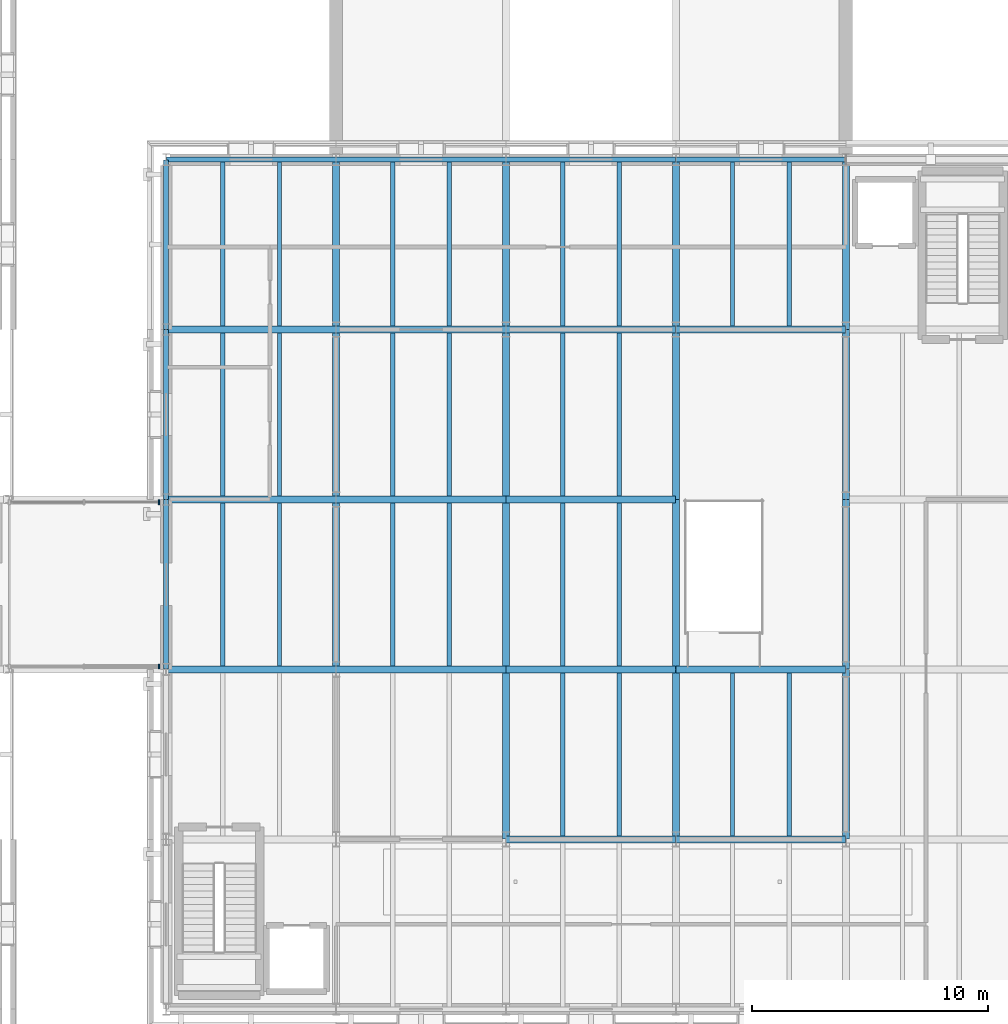
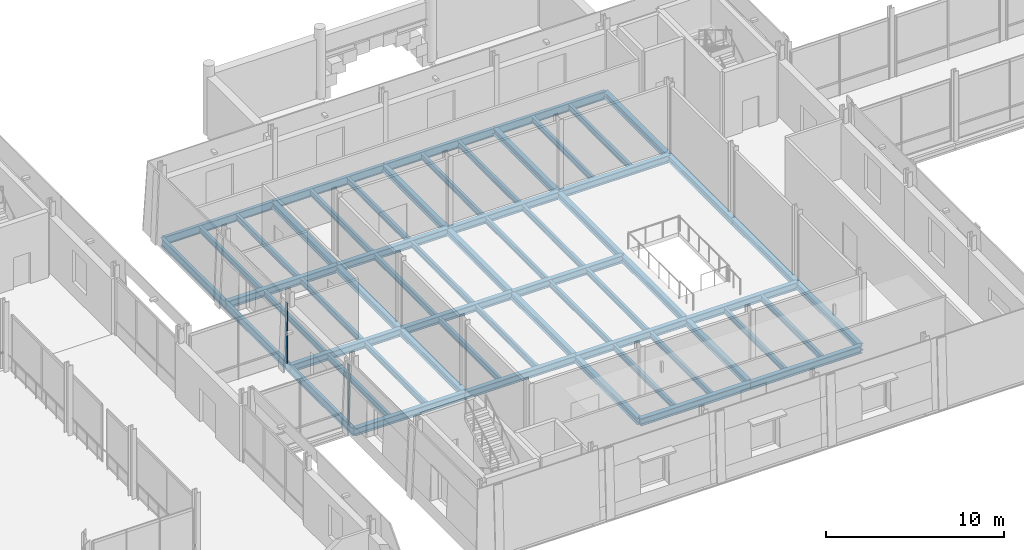
# One storey, part 34 of 121: 59 beams, 2 members, 2 elements without a shape of their own.
"""IFC4 building model written with IfcOpenShell, lengths in metres."""

from ifc_helpers import new_model, si_unit, direction, frame, origin, origin_2d, place, context, subcontext, project, spatial, rectangle, i_section, extrude, material, layer, layer_set, material_profile, profile_set, type_object, element, aggregate, save


model = new_model("IFC4")

# Units and contexts
model_context = context("Model", 3, precision=1e-05, world=origin(), true_north=direction((0.0, 1.0)))
body_context = subcontext(model_context, "Body", "Model", "MODEL_VIEW")
ifc_project = project(units=[si_unit("LENGTHUNIT", "METRE"), si_unit("AREAUNIT", "SQUARE_METRE"), si_unit("VOLUMEUNIT", "CUBIC_METRE"), si_unit("PLANEANGLEUNIT", "RADIAN"), si_unit("MASSUNIT", "GRAM", prefix="KILO")], contexts=[model_context])

# Site, building, storey
site_placement = place(None, origin())
site = spatial("IfcSite", under=ifc_project, at=site_placement, CompositionType="ELEMENT")
building_placement = place(site_placement, origin())
building = spatial("IfcBuilding", under=site, at=building_placement, Name="Narikvali Park Central Library", CompositionType="ELEMENT")
storey_placement = place(building_placement, frame((0.0, 0.0, 5.39990234375)))
storey = spatial("IfcBuildingStorey", under=building, at=storey_placement, Name="L01", CompositionType="ELEMENT", Elevation=5.39990234375)

# Curtain wall, member
ifc_material_1 = material(Name="Anodised Bronze Aluminium", Category="aluminium")
ifc_layer = layer(ifc_material_1, 0.219970703125, Name="Anodised Bronze Aluminium")
ifc_layer_set = layer_set([ifc_layer], Name="Anodised Bronze Aluminium")
curtain_wall_type = type_object("IfcCurtainWallType", Name="Bridge Covered Passage Glazing System", PredefinedType="NOTDEFINED", material=ifc_layer_set)
curtain_wall_1_placement = place(storey_placement, origin())
curtain_wall_1 = element("IfcCurtainWall", 1, at=curtain_wall_1_placement, inside=storey, type_object=curtain_wall_type, Name="Bridge Covered Passage Glazing System CW-BRG-2-L01-S1", PredefinedType="NOTDEFINED")
ifc_material_profile_1 = material_profile(ifc_material_1, rectangle(XDim=0.070068359375, YDim=0.199951171875, at=origin_2d()), Name="CW MULLION 70x200")
ifc_profile_set_1 = profile_set([ifc_material_profile_1], Name="Anodised Bronze Aluminium")
member_type = type_object("IfcMemberType", Name="Curtain Wall Mullion 70x200", PredefinedType="MULLION", material=ifc_profile_set_1)
member_1_placement = place(storey_placement, frame((64.5, 72.1201171875, -0.010009765625), z_axis=(0.0, 0.0, 1.0), x_axis=(1.0, 0.0, 0.0)))
member_1 = element("IfcMember", 2, at=member_1_placement, type_object=member_type, Name="CW-BRG-2-L01-S1 Mullion 02", PredefinedType="MULLION", context=body_context, shape_type="SweptSolid", body=[
    extrude(rectangle(XDim=0.070068359375, YDim=0.199951171875, at=origin_2d()), origin(), (0.0, 0.0, 1.0), 4.16015625),
])
aggregate(curtain_wall_1, [member_1])

curtain_wall_2_placement = place(storey_placement, origin())
curtain_wall_2 = element("IfcCurtainWall", 3, at=curtain_wall_2_placement, inside=storey, type_object=curtain_wall_type, Name="Bridge Covered Passage Glazing System CW-BRG-2-L01-N1", PredefinedType="NOTDEFINED")
member_2_placement = place(storey_placement, frame((64.5, 79.080078125, -0.010009765625), z_axis=(0.0, 0.0, 1.0), x_axis=(1.0, 0.0, 0.0)))
member_2 = element("IfcMember", 4, at=member_2_placement, type_object=member_type, Name="CW-BRG-2-L01-N1 Mullion 02", PredefinedType="MULLION", context=body_context, shape_type="SweptSolid", body=[
    extrude(rectangle(XDim=0.070068359375, YDim=0.199951171875, at=origin_2d()), origin(), (0.0, 0.0, 1.0), 4.16015625),
])
aggregate(curtain_wall_2, [member_2])

# Beams
ifc_material_2 = material(Name="Steel S355", Category="steel")
ifc_material_profile_2 = material_profile(ifc_material_2, i_section(OverallWidth=0.181884765625, OverallDepth=0.404052734375, WebThickness=0.009765625, FlangeThickness=0.015380859375, FilletRadius=0.02099609375, at=origin_2d()), Name="IPEO 400")
ifc_profile_set_2 = profile_set([ifc_material_profile_2], Name="Steel S355")
beam_type_1 = type_object("IfcBeamType", Name="Gallery Floor Joist IPEO400", PredefinedType="JOIST", material=ifc_profile_set_2)
for number, where, z_axis, x_axis, name in (
    (5, (67.199951171875, 72.14990234375, -0.48193359375), (0.0, 1.0, 0.0), (-1.0, 0.0, 0.0), "V1 L01 Composite Joist 1"),
    (6, (69.60009765625, 72.14990234375, -0.48193359375), (0.0, 1.0, 0.0), (-1.0, 0.0, 0.0), "V1 L01 Composite Joist 2"),
):
    element("IfcBeam", number, at=place(storey_placement, frame(where, z_axis=z_axis, x_axis=x_axis)), inside=storey, type_object=beam_type_1, Name=name, PredefinedType="JOIST", context=body_context, shape_type="SweptSolid", body=[
        extrude(i_section(OverallWidth=0.181884765625, OverallDepth=0.404052734375, WebThickness=0.009765625, FlangeThickness=0.015380859375, FilletRadius=0.02099609375, at=origin_2d()), origin(), (0.0, 0.0, 1.0), 6.900146484375),
    ])
for number, where, z_axis, x_axis, name in (
    (7, (67.199951171875, 79.35009765625, -0.48193359375), (0.0, 1.0, 0.0), (-1.0, 0.0, 0.0), "V1 L01 Composite Joist 1"),
    (8, (69.60009765625, 79.35009765625, -0.48193359375), (0.0, 1.0, 0.0), (-1.0, 0.0, 0.0), "V1 L01 Composite Joist 2"),
):
    element("IfcBeam", number, at=place(storey_placement, frame(where, z_axis=z_axis, x_axis=x_axis)), inside=storey, type_object=beam_type_1, Name=name, PredefinedType="JOIST", context=body_context, shape_type="SweptSolid", body=[
        extrude(i_section(OverallWidth=0.181884765625, OverallDepth=0.404052734375, WebThickness=0.009765625, FlangeThickness=0.015380859375, FilletRadius=0.02099609375, at=origin_2d()), origin(), (0.0, 0.0, 1.0), 6.89990234375),
    ])
for number, where, z_axis, x_axis, name in (
    (9, (67.199951171875, 86.550048828125, -0.48193359375), (0.0, 1.0, 0.0), (-1.0, 0.0, 0.0), "V1 L01 Composite Joist 1"),
    (10, (69.60009765625, 86.550048828125, -0.48193359375), (0.0, 1.0, 0.0), (-1.0, 0.0, 0.0), "V1 L01 Composite Joist 2"),
):
    element("IfcBeam", number, at=place(storey_placement, frame(where, z_axis=z_axis, x_axis=x_axis)), inside=storey, type_object=beam_type_1, Name=name, PredefinedType="JOIST", context=body_context, shape_type="SweptSolid", body=[
        extrude(i_section(OverallWidth=0.181884765625, OverallDepth=0.404052734375, WebThickness=0.009765625, FlangeThickness=0.015380859375, FilletRadius=0.02099609375, at=origin_2d()), origin(), (0.0, 0.0, 1.0), 6.945068359375),
    ])
for number, where, z_axis, x_axis, name in (
    (11, (74.39990234375, 72.14990234375, -0.48193359375), (0.0, 1.0, 0.0), (-1.0, 0.0, 0.0), "V1 L01 Composite Joist 1"),
    (12, (76.800048828125, 72.14990234375, -0.48193359375), (0.0, 1.0, 0.0), (-1.0, 0.0, 0.0), "V1 L01 Composite Joist 2"),
):
    element("IfcBeam", number, at=place(storey_placement, frame(where, z_axis=z_axis, x_axis=x_axis)), inside=storey, type_object=beam_type_1, Name=name, PredefinedType="JOIST", context=body_context, shape_type="SweptSolid", body=[
        extrude(i_section(OverallWidth=0.181884765625, OverallDepth=0.404052734375, WebThickness=0.009765625, FlangeThickness=0.015380859375, FilletRadius=0.02099609375, at=origin_2d()), origin(), (0.0, 0.0, 1.0), 6.900146484375),
    ])
for number, where, z_axis, x_axis, name in (
    (13, (74.39990234375, 79.35009765625, -0.48193359375), (0.0, 1.0, 0.0), (-1.0, 0.0, 0.0), "V1 L01 Composite Joist 1"),
    (14, (76.800048828125, 79.35009765625, -0.48193359375), (0.0, 1.0, 0.0), (-1.0, 0.0, 0.0), "V1 L01 Composite Joist 2"),
):
    element("IfcBeam", number, at=place(storey_placement, frame(where, z_axis=z_axis, x_axis=x_axis)), inside=storey, type_object=beam_type_1, Name=name, PredefinedType="JOIST", context=body_context, shape_type="SweptSolid", body=[
        extrude(i_section(OverallWidth=0.181884765625, OverallDepth=0.404052734375, WebThickness=0.009765625, FlangeThickness=0.015380859375, FilletRadius=0.02099609375, at=origin_2d()), origin(), (0.0, 0.0, 1.0), 6.89990234375),
    ])
for number, where, z_axis, x_axis, name in (
    (15, (74.39990234375, 86.550048828125, -0.48193359375), (0.0, 1.0, 0.0), (-1.0, 0.0, 0.0), "V1 L01 Composite Joist 1"),
    (16, (76.800048828125, 86.550048828125, -0.48193359375), (0.0, 1.0, 0.0), (-1.0, 0.0, 0.0), "V1 L01 Composite Joist 2"),
):
    element("IfcBeam", number, at=place(storey_placement, frame(where, z_axis=z_axis, x_axis=x_axis)), inside=storey, type_object=beam_type_1, Name=name, PredefinedType="JOIST", context=body_context, shape_type="SweptSolid", body=[
        extrude(i_section(OverallWidth=0.181884765625, OverallDepth=0.404052734375, WebThickness=0.009765625, FlangeThickness=0.015380859375, FilletRadius=0.02099609375, at=origin_2d()), origin(), (0.0, 0.0, 1.0), 6.945068359375),
    ])
for number, where, z_axis, x_axis, name in (
    (17, (81.60009765625, 64.949951171875, -0.48193359375), (0.0, 1.0, 0.0), (-1.0, 0.0, 0.0), "V1 L01 Composite Joist 1"),
    (18, (84.0, 64.949951171875, -0.48193359375), (0.0, 1.0, 0.0), (-1.0, 0.0, 0.0), "V1 L01 Composite Joist 2"),
    (19, (81.60009765625, 72.14990234375, -0.48193359375), (0.0, 1.0, 0.0), (-1.0, 0.0, 0.0), "V1 L01 Composite Joist 1"),
    (20, (84.0, 72.14990234375, -0.48193359375), (0.0, 1.0, 0.0), (-1.0, 0.0, 0.0), "V1 L01 Composite Joist 2"),
):
    element("IfcBeam", number, at=place(storey_placement, frame(where, z_axis=z_axis, x_axis=x_axis)), inside=storey, type_object=beam_type_1, Name=name, PredefinedType="JOIST", context=body_context, shape_type="SweptSolid", body=[
        extrude(i_section(OverallWidth=0.181884765625, OverallDepth=0.404052734375, WebThickness=0.009765625, FlangeThickness=0.015380859375, FilletRadius=0.02099609375, at=origin_2d()), origin(), (0.0, 0.0, 1.0), 6.900146484375),
    ])
for number, where, z_axis, x_axis, name in (
    (21, (81.60009765625, 79.35009765625, -0.48193359375), (0.0, 1.0, 0.0), (-1.0, 0.0, 0.0), "V1 L01 Composite Joist 1"),
    (22, (84.0, 79.35009765625, -0.48193359375), (0.0, 1.0, 0.0), (-1.0, 0.0, 0.0), "V1 L01 Composite Joist 2"),
):
    element("IfcBeam", number, at=place(storey_placement, frame(where, z_axis=z_axis, x_axis=x_axis)), inside=storey, type_object=beam_type_1, Name=name, PredefinedType="JOIST", context=body_context, shape_type="SweptSolid", body=[
        extrude(i_section(OverallWidth=0.181884765625, OverallDepth=0.404052734375, WebThickness=0.009765625, FlangeThickness=0.015380859375, FilletRadius=0.02099609375, at=origin_2d()), origin(), (0.0, 0.0, 1.0), 6.89990234375),
    ])
for number, where, z_axis, x_axis, name in (
    (23, (81.60009765625, 86.550048828125, -0.48193359375), (0.0, 1.0, 0.0), (-1.0, 0.0, 0.0), "V1 L01 Composite Joist 1"),
    (24, (84.0, 86.550048828125, -0.48193359375), (0.0, 1.0, 0.0), (-1.0, 0.0, 0.0), "V1 L01 Composite Joist 2"),
):
    element("IfcBeam", number, at=place(storey_placement, frame(where, z_axis=z_axis, x_axis=x_axis)), inside=storey, type_object=beam_type_1, Name=name, PredefinedType="JOIST", context=body_context, shape_type="SweptSolid", body=[
        extrude(i_section(OverallWidth=0.181884765625, OverallDepth=0.404052734375, WebThickness=0.009765625, FlangeThickness=0.015380859375, FilletRadius=0.02099609375, at=origin_2d()), origin(), (0.0, 0.0, 1.0), 6.945068359375),
    ])
for number, where, z_axis, x_axis, name in (
    (25, (88.800048828125, 64.949951171875, -0.48193359375), (0.0, 1.0, 0.0), (-1.0, 0.0, 0.0), "V1 L01 Composite Joist 1"),
    (26, (91.199951171875, 64.949951171875, -0.48193359375), (0.0, 1.0, 0.0), (-1.0, 0.0, 0.0), "V1 L01 Composite Joist 2"),
):
    element("IfcBeam", number, at=place(storey_placement, frame(where, z_axis=z_axis, x_axis=x_axis)), inside=storey, type_object=beam_type_1, Name=name, PredefinedType="JOIST", context=body_context, shape_type="SweptSolid", body=[
        extrude(i_section(OverallWidth=0.181884765625, OverallDepth=0.404052734375, WebThickness=0.009765625, FlangeThickness=0.015380859375, FilletRadius=0.02099609375, at=origin_2d()), origin(), (0.0, 0.0, 1.0), 6.900146484375),
    ])
for number, where, z_axis, x_axis, name in (
    (27, (88.800048828125, 86.550048828125, -0.48193359375), (0.0, 1.0, 0.0), (-1.0, 0.0, 0.0), "V1 L01 Composite Joist 1"),
    (28, (91.199951171875, 86.550048828125, -0.48193359375), (0.0, 1.0, 0.0), (-1.0, 0.0, 0.0), "V1 L01 Composite Joist 2"),
):
    element("IfcBeam", number, at=place(storey_placement, frame(where, z_axis=z_axis, x_axis=x_axis)), inside=storey, type_object=beam_type_1, Name=name, PredefinedType="JOIST", context=body_context, shape_type="SweptSolid", body=[
        extrude(i_section(OverallWidth=0.181884765625, OverallDepth=0.404052734375, WebThickness=0.009765625, FlangeThickness=0.015380859375, FilletRadius=0.02099609375, at=origin_2d()), origin(), (0.0, 0.0, 1.0), 6.945068359375),
    ])
ifc_material_profile_3 = material_profile(ifc_material_2, i_section(OverallWidth=0.2099609375, OverallDepth=0.550048828125, WebThickness=0.010986328125, FlangeThickness=0.01708984375, FilletRadius=0.02392578125, at=origin_2d()), Name="IPE 550")
ifc_profile_set_3 = profile_set([ifc_material_profile_3], Name="Steel S355")
beam_type_2 = type_object("IfcBeamType", Name="Perimeter Spandrel IPE550", PredefinedType="SPANDREL", material=ifc_profile_set_3)
for number, where, z_axis, x_axis, name in (
    (29, (64.80810546875, 93.60009765625, -0.554931640625), (1.0, 0.0, 0.0), (0.0, 1.0, 0.0), "V1 L01 Girder X"),
    (30, (72.008056640625, 93.60009765625, -0.554931640625), (1.0, 0.0, 0.0), (0.0, 1.0, 0.0), "V1 L01 Girder X"),
):
    element("IfcBeam", number, at=place(storey_placement, frame(where, z_axis=z_axis, x_axis=x_axis)), inside=storey, type_object=beam_type_2, Name=name, PredefinedType="SPANDREL", context=body_context, shape_type="SweptSolid", body=[
        extrude(i_section(OverallWidth=0.2099609375, OverallDepth=0.550048828125, WebThickness=0.010986328125, FlangeThickness=0.01708984375, FilletRadius=0.02392578125, at=origin_2d()), origin(), (0.0, 0.0, 1.0), 7.183837890625),
    ])
for number, where, z_axis, x_axis, name in (
    (31, (79.2080078125, 93.60009765625, -0.554931640625), (1.0, 0.0, 0.0), (0.0, 1.0, 0.0), "V1 L01 Girder X"),
    (32, (86.407958984375, 93.60009765625, -0.554931640625), (1.0, 0.0, 0.0), (0.0, 1.0, 0.0), "V1 L01 Girder X"),
):
    element("IfcBeam", number, at=place(storey_placement, frame(where, z_axis=z_axis, x_axis=x_axis)), inside=storey, type_object=beam_type_2, Name=name, PredefinedType="SPANDREL", context=body_context, shape_type="SweptSolid", body=[
        extrude(i_section(OverallWidth=0.2099609375, OverallDepth=0.550048828125, WebThickness=0.010986328125, FlangeThickness=0.01708984375, FilletRadius=0.02392578125, at=origin_2d()), origin(), (0.0, 0.0, 1.0), 7.18408203125),
    ])
beam_1_placement = place(storey_placement, frame((64.800048828125, 72.008056640625, -0.554931640625), z_axis=(0.0, 1.0, 0.0), x_axis=(-1.0, 0.0, 0.0)))
element("IfcBeam", 33, at=beam_1_placement, inside=storey, type_object=beam_type_2, Name="V1 L01 Girder Y", PredefinedType="SPANDREL", context=body_context, shape_type="SweptSolid", body=[
    extrude(i_section(OverallWidth=0.2099609375, OverallDepth=0.550048828125, WebThickness=0.010986328125, FlangeThickness=0.01708984375, FilletRadius=0.02392578125, at=origin_2d()), origin(), (0.0, 0.0, 1.0), 7.183837890625),
])
for number, where, z_axis, x_axis, name in (
    (34, (64.800048828125, 79.2080078125, -0.554931640625), (0.0, 1.0, 0.0), (-1.0, 0.0, 0.0), "V1 L01 Girder Y"),
    (35, (64.800048828125, 86.407958984375, -0.554931640625), (0.0, 1.0, 0.0), (-1.0, 0.0, 0.0), "V1 L01 Girder Y"),
):
    element("IfcBeam", number, at=place(storey_placement, frame(where, z_axis=z_axis, x_axis=x_axis)), inside=storey, type_object=beam_type_2, Name=name, PredefinedType="SPANDREL", context=body_context, shape_type="SweptSolid", body=[
        extrude(i_section(OverallWidth=0.2099609375, OverallDepth=0.550048828125, WebThickness=0.010986328125, FlangeThickness=0.01708984375, FilletRadius=0.02392578125, at=origin_2d()), origin(), (0.0, 0.0, 1.0), 7.18408203125),
    ])
ifc_material_profile_4 = material_profile(ifc_material_2, i_section(OverallWidth=0.300048828125, OverallDepth=0.43994140625, WebThickness=0.011474609375, FlangeThickness=0.02099609375, FilletRadius=0.027099609375, at=origin_2d()), Name="HEA 450")
ifc_profile_set_4 = profile_set([ifc_material_profile_4], Name="Steel S355")
beam_type_3 = type_object("IfcBeamType", Name="Primary Girder HEA450", PredefinedType="BEAM", material=ifc_profile_set_4)
beam_2_placement = place(storey_placement, frame((72.0, 72.008056640625, -0.5), z_axis=(0.0, 1.0, 0.0), x_axis=(-1.0, 0.0, 0.0)))
element("IfcBeam", 36, at=beam_2_placement, inside=storey, type_object=beam_type_3, Name="V1 L01 Girder Y", PredefinedType="BEAM", context=body_context, shape_type="SweptSolid", body=[
    extrude(i_section(OverallWidth=0.300048828125, OverallDepth=0.43994140625, WebThickness=0.011474609375, FlangeThickness=0.02099609375, FilletRadius=0.027099609375, at=origin_2d()), origin(), (0.0, 0.0, 1.0), 7.183837890625),
])
for number, where, z_axis, x_axis, name in (
    (37, (72.0, 79.2080078125, -0.5), (0.0, 1.0, 0.0), (-1.0, 0.0, 0.0), "V1 L01 Girder Y"),
    (38, (72.0, 86.407958984375, -0.5), (0.0, 1.0, 0.0), (-1.0, 0.0, 0.0), "V1 L01 Girder Y"),
):
    element("IfcBeam", number, at=place(storey_placement, frame(where, z_axis=z_axis, x_axis=x_axis)), inside=storey, type_object=beam_type_3, Name=name, PredefinedType="BEAM", context=body_context, shape_type="SweptSolid", body=[
        extrude(i_section(OverallWidth=0.300048828125, OverallDepth=0.43994140625, WebThickness=0.011474609375, FlangeThickness=0.02099609375, FilletRadius=0.027099609375, at=origin_2d()), origin(), (0.0, 0.0, 1.0), 7.18408203125),
    ])
for number, where, z_axis, x_axis, name in (
    (39, (79.199951171875, 64.80810546875, -0.5), (0.0, 1.0, 0.0), (-1.0, 0.0, 0.0), "V1 L01 Girder Y"),
    (40, (79.199951171875, 72.008056640625, -0.5), (0.0, 1.0, 0.0), (-1.0, 0.0, 0.0), "V1 L01 Girder Y"),
):
    element("IfcBeam", number, at=place(storey_placement, frame(where, z_axis=z_axis, x_axis=x_axis)), inside=storey, type_object=beam_type_3, Name=name, PredefinedType="BEAM", context=body_context, shape_type="SweptSolid", body=[
        extrude(i_section(OverallWidth=0.300048828125, OverallDepth=0.43994140625, WebThickness=0.011474609375, FlangeThickness=0.02099609375, FilletRadius=0.027099609375, at=origin_2d()), origin(), (0.0, 0.0, 1.0), 7.183837890625),
    ])
for number, where, z_axis, x_axis, name in (
    (41, (79.199951171875, 79.2080078125, -0.5), (0.0, 1.0, 0.0), (-1.0, 0.0, 0.0), "V1 L01 Girder Y"),
    (42, (79.199951171875, 86.407958984375, -0.5), (0.0, 1.0, 0.0), (-1.0, 0.0, 0.0), "V1 L01 Girder Y"),
):
    element("IfcBeam", number, at=place(storey_placement, frame(where, z_axis=z_axis, x_axis=x_axis)), inside=storey, type_object=beam_type_3, Name=name, PredefinedType="BEAM", context=body_context, shape_type="SweptSolid", body=[
        extrude(i_section(OverallWidth=0.300048828125, OverallDepth=0.43994140625, WebThickness=0.011474609375, FlangeThickness=0.02099609375, FilletRadius=0.027099609375, at=origin_2d()), origin(), (0.0, 0.0, 1.0), 7.18408203125),
    ])
for number, where, z_axis, x_axis, name in (
    (43, (86.39990234375, 64.80810546875, -0.5), (0.0, 1.0, 0.0), (-1.0, 0.0, 0.0), "V1 L01 Girder Y"),
    (44, (86.39990234375, 72.008056640625, -0.5), (0.0, 1.0, 0.0), (-1.0, 0.0, 0.0), "V1 L01 Girder Y"),
):
    element("IfcBeam", number, at=place(storey_placement, frame(where, z_axis=z_axis, x_axis=x_axis)), inside=storey, type_object=beam_type_3, Name=name, PredefinedType="BEAM", context=body_context, shape_type="SweptSolid", body=[
        extrude(i_section(OverallWidth=0.300048828125, OverallDepth=0.43994140625, WebThickness=0.011474609375, FlangeThickness=0.02099609375, FilletRadius=0.027099609375, at=origin_2d()), origin(), (0.0, 0.0, 1.0), 7.183837890625),
    ])
for number, where, z_axis, x_axis, name in (
    (45, (86.39990234375, 79.2080078125, -0.5), (0.0, 1.0, 0.0), (-1.0, 0.0, 0.0), "V1 L01 Girder Y"),
    (46, (86.39990234375, 86.407958984375, -0.5), (0.0, 1.0, 0.0), (-1.0, 0.0, 0.0), "V1 L01 Girder Y"),
):
    element("IfcBeam", number, at=place(storey_placement, frame(where, z_axis=z_axis, x_axis=x_axis)), inside=storey, type_object=beam_type_3, Name=name, PredefinedType="BEAM", context=body_context, shape_type="SweptSolid", body=[
        extrude(i_section(OverallWidth=0.300048828125, OverallDepth=0.43994140625, WebThickness=0.011474609375, FlangeThickness=0.02099609375, FilletRadius=0.027099609375, at=origin_2d()), origin(), (0.0, 0.0, 1.0), 7.18408203125),
    ])
for number, where, z_axis, x_axis, name in (
    (47, (93.60009765625, 64.80810546875, -0.5), (0.0, 1.0, 0.0), (-1.0, 0.0, 0.0), "V1 L01 Girder Y"),
    (48, (93.60009765625, 72.008056640625, -0.5), (0.0, 1.0, 0.0), (-1.0, 0.0, 0.0), "V1 L01 Girder Y"),
):
    element("IfcBeam", number, at=place(storey_placement, frame(where, z_axis=z_axis, x_axis=x_axis)), inside=storey, type_object=beam_type_3, Name=name, PredefinedType="BEAM", context=body_context, shape_type="SweptSolid", body=[
        extrude(i_section(OverallWidth=0.300048828125, OverallDepth=0.43994140625, WebThickness=0.011474609375, FlangeThickness=0.02099609375, FilletRadius=0.027099609375, at=origin_2d()), origin(), (0.0, 0.0, 1.0), 7.183837890625),
    ])
for number, where, z_axis, x_axis, name in (
    (49, (93.60009765625, 79.2080078125, -0.5), (0.0, 1.0, 0.0), (-1.0, 0.0, 0.0), "V1 L01 Girder Y"),
    (50, (93.60009765625, 86.407958984375, -0.5), (0.0, 1.0, 0.0), (-1.0, 0.0, 0.0), "V1 L01 Girder Y"),
):
    element("IfcBeam", number, at=place(storey_placement, frame(where, z_axis=z_axis, x_axis=x_axis)), inside=storey, type_object=beam_type_3, Name=name, PredefinedType="BEAM", context=body_context, shape_type="SweptSolid", body=[
        extrude(i_section(OverallWidth=0.300048828125, OverallDepth=0.43994140625, WebThickness=0.011474609375, FlangeThickness=0.02099609375, FilletRadius=0.027099609375, at=origin_2d()), origin(), (0.0, 0.0, 1.0), 7.18408203125),
    ])
ifc_material_profile_5 = material_profile(ifc_material_2, i_section(OverallWidth=0.300048828125, OverallDepth=0.5, WebThickness=0.014404296875, FlangeThickness=0.028076171875, FilletRadius=0.027099609375, at=origin_2d()), Name="HEB 500")
ifc_profile_set_5 = profile_set([ifc_material_profile_5], Name="Steel S355")
beam_type_4 = type_object("IfcBeamType", Name="Reading Void Girder HEB500", PredefinedType="BEAM", material=ifc_profile_set_5)
for number, where, z_axis, x_axis, name in (
    (51, (79.2080078125, 64.800048828125, -0.52978515625), (1.0, 0.0, 0.0), (0.0, 1.0, 0.0), "V1 L01 Girder X"),
    (52, (86.407958984375, 64.800048828125, -0.52978515625), (1.0, 0.0, 0.0), (0.0, 1.0, 0.0), "V1 L01 Girder X"),
):
    element("IfcBeam", number, at=place(storey_placement, frame(where, z_axis=z_axis, x_axis=x_axis)), inside=storey, type_object=beam_type_4, Name=name, PredefinedType="BEAM", context=body_context, shape_type="SweptSolid", body=[
        extrude(i_section(OverallWidth=0.300048828125, OverallDepth=0.5, WebThickness=0.014404296875, FlangeThickness=0.028076171875, FilletRadius=0.027099609375, at=origin_2d()), origin(), (0.0, 0.0, 1.0), 7.18408203125),
    ])
for number, where, z_axis, x_axis, name in (
    (53, (64.80810546875, 72.0, -0.52978515625), (1.0, 0.0, 0.0), (0.0, 1.0, 0.0), "V1 L01 Girder X"),
    (54, (72.008056640625, 72.0, -0.52978515625), (1.0, 0.0, 0.0), (0.0, 1.0, 0.0), "V1 L01 Girder X"),
):
    element("IfcBeam", number, at=place(storey_placement, frame(where, z_axis=z_axis, x_axis=x_axis)), inside=storey, type_object=beam_type_4, Name=name, PredefinedType="BEAM", context=body_context, shape_type="SweptSolid", body=[
        extrude(i_section(OverallWidth=0.300048828125, OverallDepth=0.5, WebThickness=0.014404296875, FlangeThickness=0.028076171875, FilletRadius=0.027099609375, at=origin_2d()), origin(), (0.0, 0.0, 1.0), 7.183837890625),
    ])
for number, where, z_axis, x_axis, name in (
    (55, (79.2080078125, 72.0, -0.52978515625), (1.0, 0.0, 0.0), (0.0, 1.0, 0.0), "V1 L01 Girder X"),
    (56, (86.407958984375, 72.0, -0.52978515625), (1.0, 0.0, 0.0), (0.0, 1.0, 0.0), "V1 L01 Girder X"),
):
    element("IfcBeam", number, at=place(storey_placement, frame(where, z_axis=z_axis, x_axis=x_axis)), inside=storey, type_object=beam_type_4, Name=name, PredefinedType="BEAM", context=body_context, shape_type="SweptSolid", body=[
        extrude(i_section(OverallWidth=0.300048828125, OverallDepth=0.5, WebThickness=0.014404296875, FlangeThickness=0.028076171875, FilletRadius=0.027099609375, at=origin_2d()), origin(), (0.0, 0.0, 1.0), 7.18408203125),
    ])
for number, where, z_axis, x_axis, name in (
    (57, (64.80810546875, 79.199951171875, -0.52978515625), (1.0, 0.0, 0.0), (0.0, 1.0, 0.0), "V1 L01 Girder X"),
    (58, (72.008056640625, 79.199951171875, -0.52978515625), (1.0, 0.0, 0.0), (0.0, 1.0, 0.0), "V1 L01 Girder X"),
):
    element("IfcBeam", number, at=place(storey_placement, frame(where, z_axis=z_axis, x_axis=x_axis)), inside=storey, type_object=beam_type_4, Name=name, PredefinedType="BEAM", context=body_context, shape_type="SweptSolid", body=[
        extrude(i_section(OverallWidth=0.300048828125, OverallDepth=0.5, WebThickness=0.014404296875, FlangeThickness=0.028076171875, FilletRadius=0.027099609375, at=origin_2d()), origin(), (0.0, 0.0, 1.0), 7.183837890625),
    ])
beam_3_placement = place(storey_placement, frame((79.2080078125, 79.199951171875, -0.52978515625), z_axis=(1.0, 0.0, 0.0), x_axis=(0.0, 1.0, 0.0)))
element("IfcBeam", 59, at=beam_3_placement, inside=storey, type_object=beam_type_4, Name="V1 L01 Girder X", PredefinedType="BEAM", context=body_context, shape_type="SweptSolid", body=[
    extrude(i_section(OverallWidth=0.300048828125, OverallDepth=0.5, WebThickness=0.014404296875, FlangeThickness=0.028076171875, FilletRadius=0.027099609375, at=origin_2d()), origin(), (0.0, 0.0, 1.0), 7.18408203125),
])
for number, where, z_axis, x_axis, name in (
    (60, (64.80810546875, 86.39990234375, -0.52978515625), (1.0, 0.0, 0.0), (0.0, 1.0, 0.0), "V1 L01 Girder X"),
    (61, (72.008056640625, 86.39990234375, -0.52978515625), (1.0, 0.0, 0.0), (0.0, 1.0, 0.0), "V1 L01 Girder X"),
):
    element("IfcBeam", number, at=place(storey_placement, frame(where, z_axis=z_axis, x_axis=x_axis)), inside=storey, type_object=beam_type_4, Name=name, PredefinedType="BEAM", context=body_context, shape_type="SweptSolid", body=[
        extrude(i_section(OverallWidth=0.300048828125, OverallDepth=0.5, WebThickness=0.014404296875, FlangeThickness=0.028076171875, FilletRadius=0.027099609375, at=origin_2d()), origin(), (0.0, 0.0, 1.0), 7.183837890625),
    ])
for number, where, z_axis, x_axis, name in (
    (62, (79.2080078125, 86.39990234375, -0.52978515625), (1.0, 0.0, 0.0), (0.0, 1.0, 0.0), "V1 L01 Girder X"),
    (63, (86.407958984375, 86.39990234375, -0.52978515625), (1.0, 0.0, 0.0), (0.0, 1.0, 0.0), "V1 L01 Girder X"),
):
    element("IfcBeam", number, at=place(storey_placement, frame(where, z_axis=z_axis, x_axis=x_axis)), inside=storey, type_object=beam_type_4, Name=name, PredefinedType="BEAM", context=body_context, shape_type="SweptSolid", body=[
        extrude(i_section(OverallWidth=0.300048828125, OverallDepth=0.5, WebThickness=0.014404296875, FlangeThickness=0.028076171875, FilletRadius=0.027099609375, at=origin_2d()), origin(), (0.0, 0.0, 1.0), 7.18408203125),
    ])

save(model, "model.ifc")
